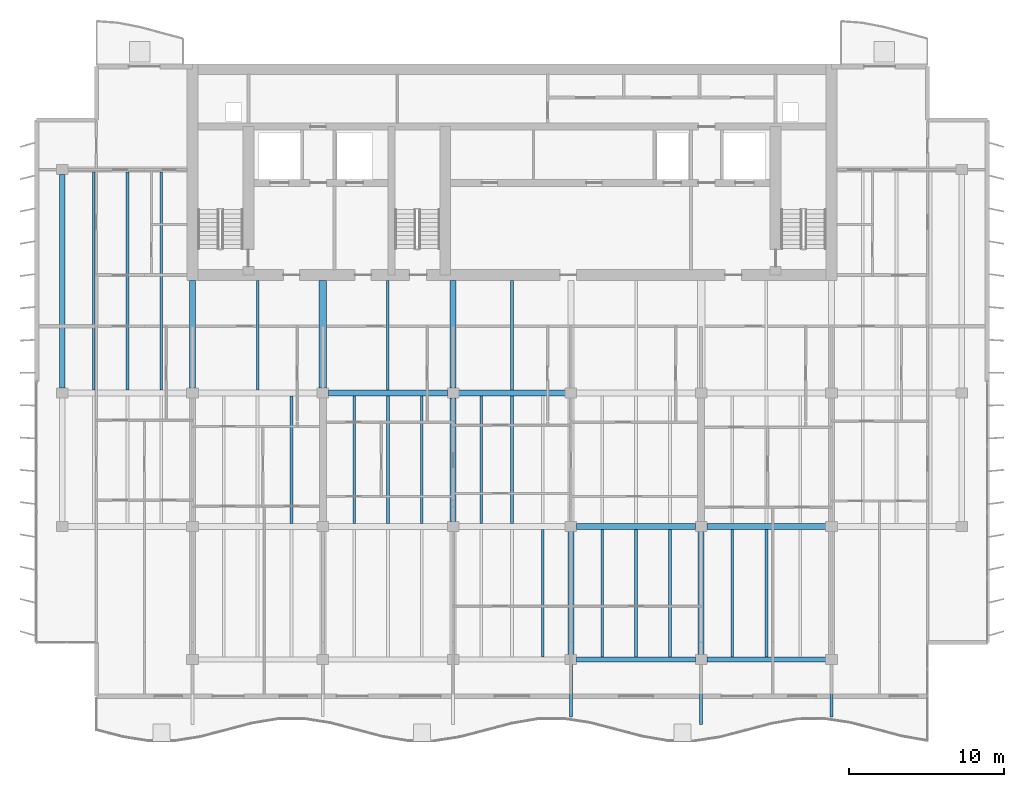
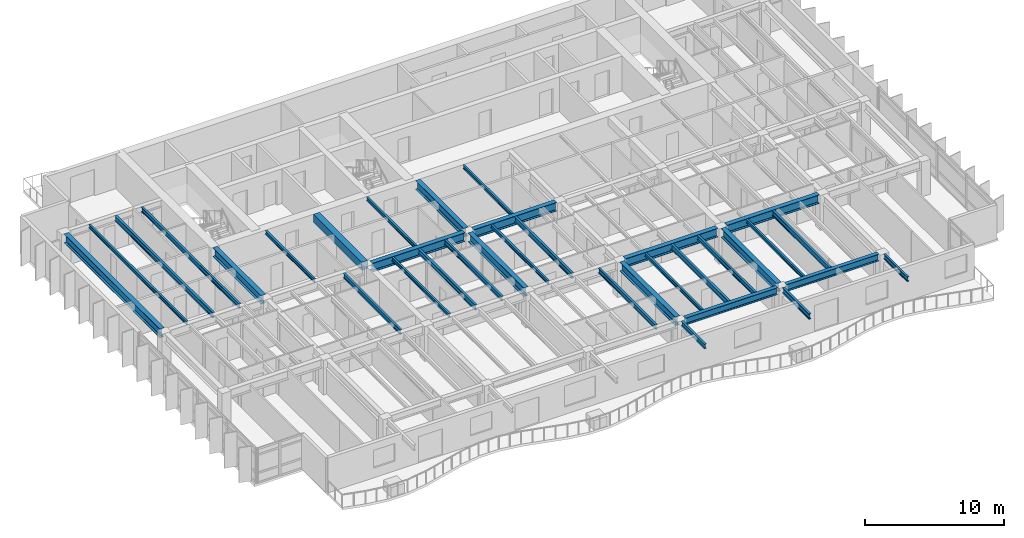
# One storey, part 3 of 17: 34 beams.
"""IFC4 building model written with IfcOpenShell, lengths in metres."""

from ifc_helpers import new_model, si_unit, direction, frame, origin, origin_2d, place, context, subcontext, project, spatial, rectangle, i_section, extrude, material, material_profile, profile_set, type_object, element, save


model = new_model("IFC4")

# Units and contexts
model_context = context("Model", 3, precision=1e-05, world=origin(), true_north=direction((0.0, 1.0)))
body_context = subcontext(model_context, "Body", "Model", "MODEL_VIEW")
ifc_project = project(units=[si_unit("LENGTHUNIT", "METRE"), si_unit("AREAUNIT", "SQUARE_METRE"), si_unit("VOLUMEUNIT", "CUBIC_METRE"), si_unit("PLANEANGLEUNIT", "RADIAN"), si_unit("MASSUNIT", "GRAM", prefix="KILO")], contexts=[model_context])

# Site, building, storey
site_placement = place(None, origin())
site = spatial("IfcSite", under=ifc_project, at=site_placement, CompositionType="ELEMENT")
building_placement = place(site_placement, origin())
building = spatial("IfcBuilding", under=site, at=building_placement, Name="Caelmar Bay Residences", CompositionType="ELEMENT")
storey_placement = place(building_placement, frame((0.0, 0.0, 246.300048828125)))
storey = spatial("IfcBuildingStorey", under=building, at=storey_placement, Name="L69", CompositionType="ELEMENT", Elevation=246.300048828125)

# Beams
ifc_material_1 = material(Name="Steel ASTM A992 Grade 50", Category="steel")
ifc_material_profile_1 = material_profile(ifc_material_1, i_section(OverallWidth=0.177978515625, OverallDepth=0.406005859375, WebThickness=0.0078125, FlangeThickness=0.0126953125, FilletRadius=0.0087890625, at=origin_2d()), Name="W16X40")
ifc_profile_set_1 = profile_set([ifc_material_profile_1], Name="Steel ASTM A992 Grade 50")
beam_type_1 = type_object("IfcBeamType", Name="BM-BAL-W16X40", PredefinedType="JOIST", material=ifc_profile_set_1)
for number, where, z_axis, x_axis, name in (
    (1, (40.8759765625, 12.362548828125, 2.846923828125), (0.0, 1.0, 0.0), (-1.0, 0.0, 0.0), "L69 Composite Floor Joist 9"),
    (2, (49.083984375, 12.362548828125, 2.846923828125), (0.0, 1.0, 0.0), (-1.0, 0.0, 0.0), "L69 Composite Floor Joist 12"),
):
    element("IfcBeam", number, at=place(storey_placement, frame(where, z_axis=z_axis, x_axis=x_axis)), inside=storey, type_object=beam_type_1, Name=name, PredefinedType="JOIST", context=body_context, shape_type="SweptSolid", body=[
        extrude(i_section(OverallWidth=0.177978515625, OverallDepth=0.406005859375, WebThickness=0.0078125, FlangeThickness=0.0126953125, FilletRadius=0.0087890625, at=origin_2d()), origin(), (0.0, 0.0, 1.0), 8.2470703125),
    ])
for number, where, z_axis, x_axis, name in (
    (3, (24.68408203125, 20.990478515625, 2.846923828125), (0.0, 1.0, 0.0), (-1.0, 0.0, 0.0), "L69 Composite Floor Joist 21"),
    (4, (33.083984375, 20.990478515625, 2.846923828125), (0.0, 1.0, 0.0), (-1.0, 0.0, 0.0), "L69 Composite Floor Joist 24"),
):
    element("IfcBeam", number, at=place(storey_placement, frame(where, z_axis=z_axis, x_axis=x_axis)), inside=storey, type_object=beam_type_1, Name=name, PredefinedType="JOIST", context=body_context, shape_type="SweptSolid", body=[
        extrude(i_section(OverallWidth=0.177978515625, OverallDepth=0.406005859375, WebThickness=0.0078125, FlangeThickness=0.0126953125, FilletRadius=0.0087890625, at=origin_2d()), origin(), (0.0, 0.0, 1.0), 8.218994140625),
    ])
beam_1_placement = place(storey_placement, frame((16.283935546875, 29.590576171875, 2.846923828125), z_axis=(0.0, 1.0, 0.0), x_axis=(-1.0, 0.0, 0.0)))
element("IfcBeam", 5, at=beam_1_placement, inside=storey, type_object=beam_type_1, Name="L69 Composite Floor Joist 44", PredefinedType="JOIST", context=body_context, shape_type="SweptSolid", body=[
    extrude(i_section(OverallWidth=0.177978515625, OverallDepth=0.406005859375, WebThickness=0.0078125, FlangeThickness=0.0126953125, FilletRadius=0.0087890625, at=origin_2d()), origin(), (0.0, 0.0, 1.0), 14.046875),
])
for number, where, z_axis, x_axis, name in (
    (6, (42.699951171875, 11.885009765625, 2.846923828125), (0.0, -1.0, 0.0), (1.0, 0.0, 0.0), "L70 South Balcony Cantilever Bracket 4"),
    (7, (59.5, 11.885009765625, 2.846923828125), (0.0, -1.0, 0.0), (1.0, 0.0, 0.0), "L70 South Balcony Cantilever Bracket 6"),
):
    element("IfcBeam", number, at=place(storey_placement, frame(where, z_axis=z_axis, x_axis=x_axis)), inside=storey, type_object=beam_type_1, Name=name, PredefinedType="JOIST", context=body_context, shape_type="SweptSolid", body=[
        extrude(i_section(OverallWidth=0.177978515625, OverallDepth=0.406005859375, WebThickness=0.0078125, FlangeThickness=0.0126953125, FilletRadius=0.0087890625, at=origin_2d()), origin(), (0.0, 0.0, 1.0), 3.3671875),
    ])
ifc_material_profile_2 = material_profile(ifc_material_1, i_section(OverallWidth=0.193115234375, OverallDepth=0.467041015625, WebThickness=0.011474609375, FlangeThickness=0.01904296875, FilletRadius=0.01025390625, at=origin_2d()), Name="W18X65")
ifc_profile_set_2 = profile_set([ifc_material_profile_2], Name="Steel ASTM A992 Grade 50")
beam_type_2 = type_object("IfcBeamType", Name="BM-BAL-W18X65", PredefinedType="BEAM", material=ifc_profile_set_2)
beam_2_placement = place(storey_placement, frame((51.10009765625, 11.885009765625, 2.81640625), z_axis=(0.0, -1.0, 0.0), x_axis=(1.0, 0.0, 0.0)))
element("IfcBeam", 8, at=beam_2_placement, inside=storey, type_object=beam_type_2, Name="L70 South Balcony Cantilever Bracket 5", PredefinedType="BEAM", context=body_context, shape_type="SweptSolid", body=[
    extrude(i_section(OverallWidth=0.193115234375, OverallDepth=0.467041015625, WebThickness=0.011474609375, FlangeThickness=0.01904296875, FilletRadius=0.01025390625, at=origin_2d()), origin(), (0.0, 0.0, 1.0), 3.85009765625),
])
ifc_material_profile_3 = material_profile(ifc_material_1, i_section(OverallWidth=0.381103515625, OverallDepth=0.77197265625, WebThickness=0.0166015625, FlangeThickness=0.027099609375, FilletRadius=0.0166015625, at=origin_2d()), Name="W30X173")
ifc_profile_set_3 = profile_set([ifc_material_profile_3], Name="Steel ASTM A992 Grade 50")
beam_type_3 = type_object("IfcBeamType", Name="BM-GRD-W30X173", PredefinedType="BEAM", material=ifc_profile_set_3)
beam_3_placement = place(storey_placement, frame((43.06494140625, 20.800048828125, 2.6640625), z_axis=(1.0, 0.0, 0.0), x_axis=(0.0, 1.0, 0.0)))
element("IfcBeam", 9, at=beam_3_placement, inside=storey, type_object=beam_type_3, Name="L69 East-West Girder Y=20.80 (42.7-51.1)", PredefinedType="BEAM", context=body_context, shape_type="SweptSolid", body=[
    extrude(i_section(OverallWidth=0.381103515625, OverallDepth=0.77197265625, WebThickness=0.0166015625, FlangeThickness=0.027099609375, FilletRadius=0.0166015625, at=origin_2d()), origin(), (0.0, 0.0, 1.0), 7.670166015625),
])
beam_4_placement = place(storey_placement, frame((51.465087890625, 20.800048828125, 2.6640625), z_axis=(1.0, 0.0, 0.0), x_axis=(0.0, 1.0, 0.0)))
element("IfcBeam", 10, at=beam_4_placement, inside=storey, type_object=beam_type_3, Name="L69 East-West Girder Y=20.80 (51.1-59.5)", PredefinedType="BEAM", context=body_context, shape_type="SweptSolid", body=[
    extrude(i_section(OverallWidth=0.381103515625, OverallDepth=0.77197265625, WebThickness=0.0166015625, FlangeThickness=0.027099609375, FilletRadius=0.0166015625, at=origin_2d()), origin(), (0.0, 0.0, 1.0), 7.669921875),
])
beam_5_placement = place(storey_placement, frame((27.06494140625, 29.39990234375, 2.6640625), z_axis=(1.0, 0.0, 0.0), x_axis=(0.0, 1.0, 0.0)))
element("IfcBeam", 11, at=beam_5_placement, inside=storey, type_object=beam_type_3, Name="L69 East-West Girder Y=29.40 (26.7-35.1)", PredefinedType="BEAM", context=body_context, shape_type="SweptSolid", body=[
    extrude(i_section(OverallWidth=0.381103515625, OverallDepth=0.77197265625, WebThickness=0.0166015625, FlangeThickness=0.027099609375, FilletRadius=0.0166015625, at=origin_2d()), origin(), (0.0, 0.0, 1.0), 7.670166015625),
])
beam_6_placement = place(storey_placement, frame((35.465087890625, 29.39990234375, 2.6640625), z_axis=(1.0, 0.0, 0.0), x_axis=(0.0, 1.0, 0.0)))
element("IfcBeam", 12, at=beam_6_placement, inside=storey, type_object=beam_type_3, Name="L69 East-West Girder Y=29.40 (35.1-42.7)", PredefinedType="BEAM", context=body_context, shape_type="SweptSolid", body=[
    extrude(i_section(OverallWidth=0.381103515625, OverallDepth=0.77197265625, WebThickness=0.0166015625, FlangeThickness=0.027099609375, FilletRadius=0.0166015625, at=origin_2d()), origin(), (0.0, 0.0, 1.0), 6.869873046875),
])
beam_7_placement = place(storey_placement, frame((9.89990234375, 29.715087890625, 2.6640625), z_axis=(0.0, 1.0, 0.0), x_axis=(-1.0, 0.0, 0.0)))
element("IfcBeam", 13, at=beam_7_placement, inside=storey, type_object=beam_type_3, Name="L69 North-South Girder X=9.90 (29.4-43.8)", PredefinedType="BEAM", context=body_context, shape_type="SweptSolid", body=[
    extrude(i_section(OverallWidth=0.381103515625, OverallDepth=0.77197265625, WebThickness=0.0166015625, FlangeThickness=0.027099609375, FilletRadius=0.0166015625, at=origin_2d()), origin(), (0.0, 0.0, 1.0), 13.77001953125),
])
for number, where, z_axis, x_axis, name in (
    (14, (18.300048828125, 29.715087890625, 2.6640625), (0.0, 1.0, 0.0), (-1.0, 0.0, 0.0), "L69 Core Tie Girder X=18.30"),
    (15, (35.10009765625, 29.715087890625, 2.6640625), (0.0, 1.0, 0.0), (-1.0, 0.0, 0.0), "L69 Core Tie Girder X=35.10"),
):
    element("IfcBeam", number, at=place(storey_placement, frame(where, z_axis=z_axis, x_axis=x_axis)), inside=storey, type_object=beam_type_3, Name=name, PredefinedType="BEAM", context=body_context, shape_type="SweptSolid", body=[
        extrude(i_section(OverallWidth=0.381103515625, OverallDepth=0.77197265625, WebThickness=0.0166015625, FlangeThickness=0.027099609375, FilletRadius=0.0166015625, at=origin_2d()), origin(), (0.0, 0.0, 1.0), 6.934814453125),
    ])
beam_8_placement = place(storey_placement, frame((35.10009765625, 21.114990234375, 2.6640625), z_axis=(0.0, 1.0, 0.0), x_axis=(-1.0, 0.0, 0.0)))
element("IfcBeam", 16, at=beam_8_placement, inside=storey, type_object=beam_type_3, Name="L69 North-South Girder X=35.10 (20.8-29.4)", PredefinedType="BEAM", context=body_context, shape_type="SweptSolid", body=[
    extrude(i_section(OverallWidth=0.381103515625, OverallDepth=0.77197265625, WebThickness=0.0166015625, FlangeThickness=0.027099609375, FilletRadius=0.0166015625, at=origin_2d()), origin(), (0.0, 0.0, 1.0), 7.969970703125),
])
for number, where, z_axis, x_axis, name in (
    (17, (42.699951171875, 12.514892578125, 2.6640625), (0.0, 1.0, 0.0), (-1.0, 0.0, 0.0), "L69 North-South Girder X=42.70 (12.2-20.8)"),
    (18, (51.10009765625, 12.514892578125, 2.6640625), (0.0, 1.0, 0.0), (-1.0, 0.0, 0.0), "L69 North-South Girder X=51.10 (12.2-20.8)"),
):
    element("IfcBeam", number, at=place(storey_placement, frame(where, z_axis=z_axis, x_axis=x_axis)), inside=storey, type_object=beam_type_3, Name=name, PredefinedType="BEAM", context=body_context, shape_type="SweptSolid", body=[
        extrude(i_section(OverallWidth=0.381103515625, OverallDepth=0.77197265625, WebThickness=0.0166015625, FlangeThickness=0.027099609375, FilletRadius=0.0166015625, at=origin_2d()), origin(), (0.0, 0.0, 1.0), 7.97021484375),
    ])
ifc_material_profile_4 = material_profile(ifc_material_1, i_section(OverallWidth=0.1650390625, OverallDepth=0.31005859375, WebThickness=0.005859375, FlangeThickness=0.009765625, FilletRadius=0.007568359375, at=origin_2d()), Name="W12X26")
ifc_profile_set_4 = profile_set([ifc_material_profile_4], Name="Steel ASTM A992 Grade 50")
beam_type_4 = type_object("IfcBeamType", Name="BM-JST-W12X26", PredefinedType="JOIST", material=ifc_profile_set_4)
for number, where, z_axis, x_axis, name in (
    (19, (44.716064453125, 12.362548828125, 2.89501953125), (0.0, 1.0, 0.0), (-1.0, 0.0, 0.0), "L69 Composite Floor Joist 10"),
    (20, (53.115966796875, 12.362548828125, 2.89501953125), (0.0, 1.0, 0.0), (-1.0, 0.0, 0.0), "L69 Composite Floor Joist 13"),
):
    element("IfcBeam", number, at=place(storey_placement, frame(where, z_axis=z_axis, x_axis=x_axis)), inside=storey, type_object=beam_type_4, Name=name, PredefinedType="JOIST", context=body_context, shape_type="SweptSolid", body=[
        extrude(i_section(OverallWidth=0.1650390625, OverallDepth=0.31005859375, WebThickness=0.005859375, FlangeThickness=0.009765625, FilletRadius=0.007568359375, at=origin_2d()), origin(), (0.0, 0.0, 1.0), 8.2470703125),
    ])
for number, where, z_axis, x_axis, name in (
    (21, (28.716064453125, 20.990478515625, 2.89501953125), (0.0, 1.0, 0.0), (-1.0, 0.0, 0.0), "L69 Composite Floor Joist 22"),
    (22, (36.924072265625, 20.990478515625, 2.89501953125), (0.0, 1.0, 0.0), (-1.0, 0.0, 0.0), "L69 Composite Floor Joist 25"),
):
    element("IfcBeam", number, at=place(storey_placement, frame(where, z_axis=z_axis, x_axis=x_axis)), inside=storey, type_object=beam_type_4, Name=name, PredefinedType="JOIST", context=body_context, shape_type="SweptSolid", body=[
        extrude(i_section(OverallWidth=0.1650390625, OverallDepth=0.31005859375, WebThickness=0.005859375, FlangeThickness=0.009765625, FilletRadius=0.007568359375, at=origin_2d()), origin(), (0.0, 0.0, 1.0), 8.218994140625),
    ])
for number, where, z_axis, x_axis, name in (
    (23, (22.5, 29.590576171875, 2.89501953125), (0.0, 1.0, 0.0), (-1.0, 0.0, 0.0), "L69 Core-Band Composite Joist 37"),
    (24, (30.89990234375, 29.590576171875, 2.89501953125), (0.0, 1.0, 0.0), (-1.0, 0.0, 0.0), "L69 Core-Band Composite Joist 38"),
    (25, (38.89990234375, 29.590576171875, 2.89501953125), (0.0, 1.0, 0.0), (-1.0, 0.0, 0.0), "L69 Core-Band Composite Joist 39"),
):
    element("IfcBeam", number, at=place(storey_placement, frame(where, z_axis=z_axis, x_axis=x_axis)), inside=storey, type_object=beam_type_4, Name=name, PredefinedType="JOIST", context=body_context, shape_type="SweptSolid", body=[
        extrude(i_section(OverallWidth=0.1650390625, OverallDepth=0.31005859375, WebThickness=0.005859375, FlangeThickness=0.009765625, FilletRadius=0.007568359375, at=origin_2d()), origin(), (0.0, 0.0, 1.0), 7.059326171875),
    ])
beam_9_placement = place(storey_placement, frame((11.916015625, 29.590576171875, 2.89501953125), z_axis=(0.0, 1.0, 0.0), x_axis=(-1.0, 0.0, 0.0)))
element("IfcBeam", 26, at=beam_9_placement, inside=storey, type_object=beam_type_4, Name="L69 Composite Floor Joist 42", PredefinedType="JOIST", context=body_context, shape_type="SweptSolid", body=[
    extrude(i_section(OverallWidth=0.1650390625, OverallDepth=0.31005859375, WebThickness=0.005859375, FlangeThickness=0.009765625, FilletRadius=0.007568359375, at=origin_2d()), origin(), (0.0, 0.0, 1.0), 14.046875),
])
ifc_material_profile_5 = material_profile(ifc_material_1, i_section(OverallWidth=0.19091796875, OverallDepth=0.45703125, WebThickness=0.009033203125, FlangeThickness=0.014404296875, FilletRadius=0.01025390625, at=origin_2d()), Name="W18X50")
ifc_profile_set_5 = profile_set([ifc_material_profile_5], Name="Steel ASTM A992 Grade 50")
beam_type_5 = type_object("IfcBeamType", Name="BM-JST-W18X50", PredefinedType="JOIST", material=ifc_profile_set_5)
for number, where, z_axis, x_axis, name in (
    (27, (46.89990234375, 12.362548828125, 2.821533203125), (0.0, 1.0, 0.0), (-1.0, 0.0, 0.0), "L69 Composite Floor Joist 11"),
    (28, (55.300048828125, 12.362548828125, 2.821533203125), (0.0, 1.0, 0.0), (-1.0, 0.0, 0.0), "L69 Composite Floor Joist 14"),
):
    element("IfcBeam", number, at=place(storey_placement, frame(where, z_axis=z_axis, x_axis=x_axis)), inside=storey, type_object=beam_type_5, Name=name, PredefinedType="JOIST", context=body_context, shape_type="SweptSolid", body=[
        extrude(i_section(OverallWidth=0.19091796875, OverallDepth=0.45703125, WebThickness=0.009033203125, FlangeThickness=0.014404296875, FilletRadius=0.01025390625, at=origin_2d()), origin(), (0.0, 0.0, 1.0), 8.2470703125),
    ])
for number, where, z_axis, x_axis, name in (
    (29, (30.89990234375, 20.990478515625, 2.821533203125), (0.0, 1.0, 0.0), (-1.0, 0.0, 0.0), "L69 Composite Floor Joist 23"),
    (30, (38.89990234375, 20.990478515625, 2.821533203125), (0.0, 1.0, 0.0), (-1.0, 0.0, 0.0), "L69 Composite Floor Joist 26"),
):
    element("IfcBeam", number, at=place(storey_placement, frame(where, z_axis=z_axis, x_axis=x_axis)), inside=storey, type_object=beam_type_5, Name=name, PredefinedType="JOIST", context=body_context, shape_type="SweptSolid", body=[
        extrude(i_section(OverallWidth=0.19091796875, OverallDepth=0.45703125, WebThickness=0.009033203125, FlangeThickness=0.014404296875, FilletRadius=0.01025390625, at=origin_2d()), origin(), (0.0, 0.0, 1.0), 8.218994140625),
    ])
beam_10_placement = place(storey_placement, frame((14.10009765625, 29.590576171875, 2.821533203125), z_axis=(0.0, 1.0, 0.0), x_axis=(-1.0, 0.0, 0.0)))
element("IfcBeam", 31, at=beam_10_placement, inside=storey, type_object=beam_type_5, Name="L69 Composite Floor Joist 43", PredefinedType="JOIST", context=body_context, shape_type="SweptSolid", body=[
    extrude(i_section(OverallWidth=0.19091796875, OverallDepth=0.45703125, WebThickness=0.009033203125, FlangeThickness=0.014404296875, FilletRadius=0.01025390625, at=origin_2d()), origin(), (0.0, 0.0, 1.0), 14.046875),
])
ifc_material_2 = material(Name="Concrete f'c 55 MPa (8,000 psi)", Category="concrete")
ifc_material_profile_6 = material_profile(ifc_material_2, rectangle(XDim=0.5, YDim=0.699951171875, at=origin_2d()), Name="RC-BM-500X700")
ifc_profile_set_6 = profile_set([ifc_material_profile_6], Name="Concrete f'c 55 MPa (8,000 psi)")
beam_type_6 = type_object("IfcBeamType", Name="BM-RC-500X700", PredefinedType="LINTEL", material=ifc_profile_set_6)
beam_11_placement = place(storey_placement, frame((26.699951171875, 29.715087890625, 2.699951171875), z_axis=(0.0, 1.0, 0.0), x_axis=(-1.0, 0.0, 0.0)))
element("IfcBeam", 32, at=beam_11_placement, inside=storey, type_object=beam_type_6, Name="L69 Shear-Wall Corridor Coupling Lintel W5", PredefinedType="LINTEL", context=body_context, shape_type="SweptSolid", body=[
    extrude(rectangle(XDim=0.5, YDim=0.699951171875, at=origin_2d()), origin(), (0.0, 0.0, 1.0), 6.934814453125),
])
ifc_material_profile_7 = material_profile(ifc_material_1, i_section(OverallWidth=0.324951171875, OverallDepth=0.616943359375, WebThickness=0.013916015625, FlangeThickness=0.021484375, FilletRadius=0.0126953125, at=origin_2d()), Name="W24X117")
ifc_profile_set_7 = profile_set([ifc_material_profile_7], Name="Steel ASTM A992 Grade 50")
beam_type_7 = type_object("IfcBeamType", Name="BM-SPN-W24X117", PredefinedType="SPANDREL", material=ifc_profile_set_7)
beam_12_placement = place(storey_placement, frame((43.06494140625, 12.199951171875, 2.741455078125), z_axis=(1.0, 0.0, 0.0), x_axis=(0.0, 1.0, 0.0)))
element("IfcBeam", 33, at=beam_12_placement, inside=storey, type_object=beam_type_7, Name="L69 East-West Girder Y=12.20 (42.7-51.1)", PredefinedType="SPANDREL", context=body_context, shape_type="SweptSolid", body=[
    extrude(i_section(OverallWidth=0.324951171875, OverallDepth=0.616943359375, WebThickness=0.013916015625, FlangeThickness=0.021484375, FilletRadius=0.0126953125, at=origin_2d()), origin(), (0.0, 0.0, 1.0), 7.670166015625),
])
beam_13_placement = place(storey_placement, frame((51.465087890625, 12.199951171875, 2.741455078125), z_axis=(1.0, 0.0, 0.0), x_axis=(0.0, 1.0, 0.0)))
element("IfcBeam", 34, at=beam_13_placement, inside=storey, type_object=beam_type_7, Name="L69 East-West Girder Y=12.20 (51.1-59.5)", PredefinedType="SPANDREL", context=body_context, shape_type="SweptSolid", body=[
    extrude(i_section(OverallWidth=0.324951171875, OverallDepth=0.616943359375, WebThickness=0.013916015625, FlangeThickness=0.021484375, FilletRadius=0.0126953125, at=origin_2d()), origin(), (0.0, 0.0, 1.0), 7.669921875),
])

save(model, "model.ifc")
